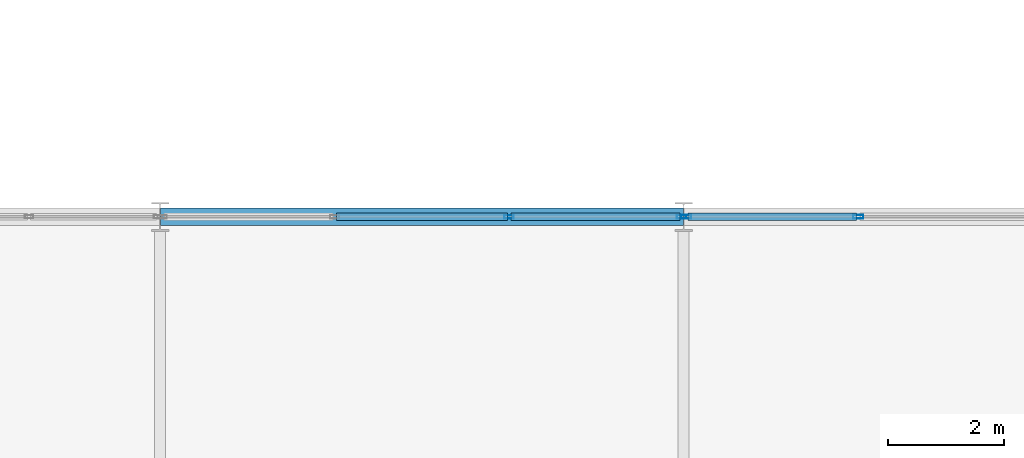
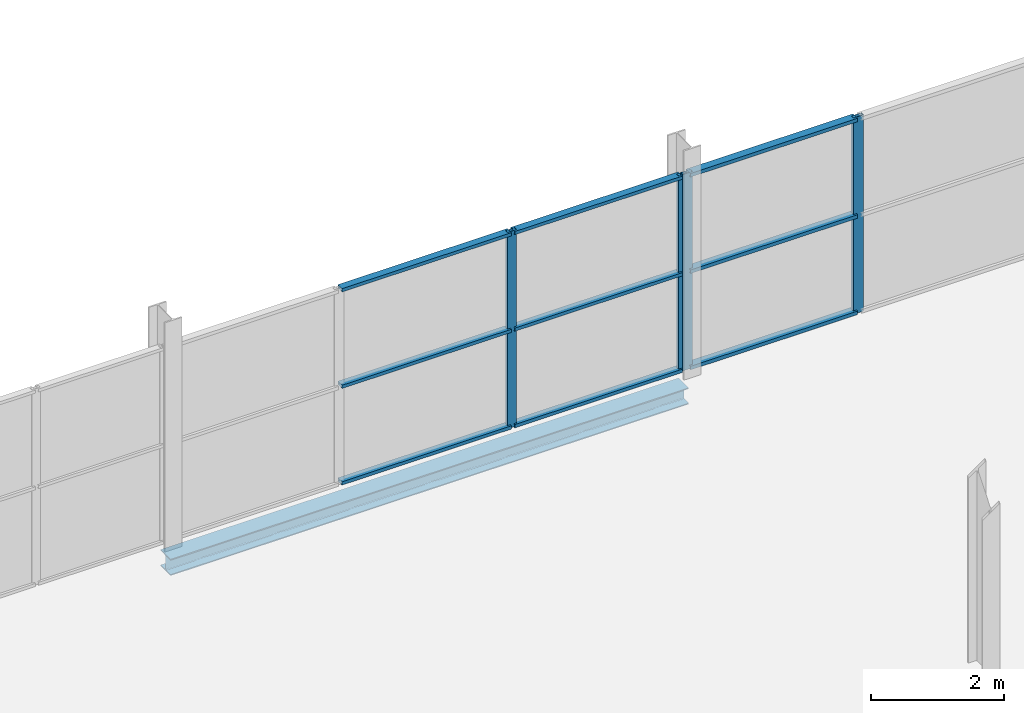
# One storey, part 63 of 135: 13 members, 1 beam, 2 elements without a shape of their own.
"""IFC4 building model written with IfcOpenShell, lengths in metres."""

import ifcopenshell
import ifcopenshell.guid

model = None  # the IFC model being written
_history = None  # IfcOwnerHistory: only IFC2X3 demands one
_inside = {}  # id of a spatial element -> (the spatial element, [elements in it])
_under = {}  # id of a project, library or spatial element -> (it, [spatial elements below it])
_declared = {}  # id of a project -> (the project, [libraries it declares])
_typed = {}  # id of a type object -> (the type object, [elements of that type])
_made_of = {}  # id of a material, layer set ... -> (it, [elements and type objects made of it])


def new_model(schema):
    """Start an empty IFC model of exactly this schema.

    Asked for "IFC4X3", IfcOpenShell would pick the latest addendum, in which some entities
    have other attributes; the version numbers below select the first issue.
    IFC2X3 requires an IfcOwnerHistory on every rooted entity: one is made here for all.
    """
    global model, _history
    if schema == "IFC4X3":
        model = ifcopenshell.file(schema_version=(4, 3, 0, 0))
    else:
        model = ifcopenshell.file(schema=schema)
    _inside.clear()
    _under.clear()
    _declared.clear()
    _typed.clear()
    _made_of.clear()
    _history = None
    if model.schema == "IFC2X3":
        org = make("IfcOrganization", Name="unknown")
        user = make(
            "IfcPersonAndOrganization",
            ThePerson=make("IfcPerson", FamilyName="unknown"),
            TheOrganization=org,
        )
        app = make(
            "IfcApplication",
            ApplicationDeveloper=org,
            Version="unknown",
            ApplicationFullName="unknown",
            ApplicationIdentifier="unknown",
        )
        _history = make(
            "IfcOwnerHistory",
            OwningUser=user,
            OwningApplication=app,
            ChangeAction="ADDED",
            CreationDate=0,
        )
    return model


def make(cls, **values):
    """One entity of the class cls with the attributes given. An attribute that is None is left unset."""
    return model.create_entity(
        cls, **{name: value for name, value in values.items() if value is not None}
    )


def rooted(cls, **values):
    """An entity with a GlobalId (a new one), such as an element, a storey or a relation."""
    return make(cls, GlobalId=ifcopenshell.guid.new(), OwnerHistory=_history, **values)


def si_unit(unit_type, name, prefix=None):
    """IfcSIUnit, for example si_unit("LENGTHUNIT", "METRE", prefix="MILLI")."""
    return make("IfcSIUnit", UnitType=unit_type, Prefix=prefix, Name=name)


def assignment(units):
    """IfcUnitAssignment: the units of a project."""
    return None if units is None else make("IfcUnitAssignment", Units=units)


def point(xyz):
    """IfcCartesianPoint."""
    return None if xyz is None else make("IfcCartesianPoint", Coordinates=xyz)


def direction(xyz):
    """IfcDirection."""
    return None if xyz is None else make("IfcDirection", DirectionRatios=xyz)


def frame(location, z_axis=None, x_axis=None):
    """IfcAxis2Placement3D, a coordinate frame: its origin and axes. An axis left out is left unset."""
    return make(
        "IfcAxis2Placement3D",
        Location=point(location),
        Axis=direction(z_axis),
        RefDirection=direction(x_axis),
    )


def frame_2d(location, x_axis=None):
    """IfcAxis2Placement2D, a coordinate frame in the plane: its origin and x axis."""
    return make(
        "IfcAxis2Placement2D", Location=point(location), RefDirection=direction(x_axis)
    )


def origin():
    """The frame at (0, 0, 0) with its axes left unset."""
    return frame((0.0, 0.0, 0.0))


def origin_2d():
    """The frame at (0, 0) in the plane with its x axis left unset."""
    return frame_2d((0.0, 0.0))


def place(relative_to, where):
    """IfcLocalPlacement: puts the frame where relative to a parent placement (None: the world)."""
    return make(
        "IfcLocalPlacement", PlacementRelTo=relative_to, RelativePlacement=where
    )


def context(
    kind, dimensions, precision=None, world=None, true_north=None, identifier=None
):
    """IfcGeometricRepresentationContext, for example the 3D "Model" context."""
    return make(
        "IfcGeometricRepresentationContext",
        ContextIdentifier=identifier,
        ContextType=kind,
        CoordinateSpaceDimension=dimensions,
        Precision=precision,
        WorldCoordinateSystem=world,
        TrueNorth=true_north,
    )


def subcontext(parent, identifier, kind, view, scale=None):
    """IfcGeometricRepresentationSubContext, for example "Body" below "Model"."""
    return make(
        "IfcGeometricRepresentationSubContext",
        ContextIdentifier=identifier,
        ContextType=kind,
        ParentContext=parent,
        TargetScale=scale,
        TargetView=view,
    )


def project(units=None, contexts=None):
    """IfcProject with its units and contexts."""
    return rooted(
        "IfcProject",
        Name="project",
        RepresentationContexts=contexts,
        UnitsInContext=assignment(units),
    )


def spatial(cls, under=None, at=None, **own):
    """A site, building, storey or space (cls), placed at a placement, below another one or the project."""
    s = rooted(cls, ObjectPlacement=at, **own)
    if under is not None:
        _under.setdefault(under.id(), (under, []))[1].append(s)
    return s


def profile(cls, at=None, kind="AREA", **sizes):
    """A parametric profile (cls). Its sizes go by their IFC names, for example OverallWidth=200.0."""
    return make(cls, ProfileType=kind, Position=at, **sizes)


def hollow_rectangle(**sizes):
    """IfcRectangleHollowProfileDef."""
    return profile("IfcRectangleHollowProfileDef", **sizes)


def i_section(**sizes):
    """IfcIShapeProfileDef."""
    return profile("IfcIShapeProfileDef", **sizes)


def extrude(swept, where, along, depth):
    """IfcExtrudedAreaSolid: the profile swept, set in the frame where, extruded along a direction by depth."""
    return make(
        "IfcExtrudedAreaSolid",
        SweptArea=swept,
        Position=where,
        ExtrudedDirection=direction(along),
        Depth=depth,
    )


def shape(context_of_items, identifier, shape_type, items):
    """IfcShapeRepresentation: the items that make up one representation, for example the "Body"."""
    return make(
        "IfcShapeRepresentation",
        ContextOfItems=context_of_items,
        RepresentationIdentifier=identifier,
        RepresentationType=shape_type,
        Items=items,
    )


def material(Name=None, Category=None):
    """IfcMaterial."""
    return make("IfcMaterial", Name=Name, Category=Category)


def layer(
    of_material, thickness, ventilated=None, Name=None, Category=None, Priority=None
):
    """IfcMaterialLayer: one layer of a wall or slab, of a material (None: an air gap)."""
    return make(
        "IfcMaterialLayer",
        Material=of_material,
        LayerThickness=thickness,
        IsVentilated=ventilated,
        Name=Name,
        Category=Category,
        Priority=Priority,
    )


def layer_set(layers, Name=None):
    """IfcMaterialLayerSet."""
    return make("IfcMaterialLayerSet", MaterialLayers=layers, LayerSetName=Name)


def material_profile(
    of_material, cross_section, Name=None, Category=None, Priority=None
):
    """IfcMaterialProfile: a cross section and its material."""
    return make(
        "IfcMaterialProfile",
        Name=Name,
        Material=of_material,
        Profile=cross_section,
        Priority=Priority,
        Category=Category,
    )


def profile_set(profiles, Name=None, composite=None):
    """IfcMaterialProfileSet."""
    return make(
        "IfcMaterialProfileSet",
        Name=Name,
        MaterialProfiles=profiles,
        CompositeProfile=composite,
    )


def made_of(thing, what):
    """Note that an element or type object is made of a material, layer set ...; save() writes the relation."""
    if what is not None:
        _made_of.setdefault(what.id(), (what, []))[1].append(thing)
    return thing


def type_object(cls, material=None, **own):
    """A type object (cls), such as IfcWallType, which elements share."""
    return made_of(rooted(cls, **own), material)


def element(
    cls,
    number,
    at=None,
    inside=None,
    cuts=None,
    type_object=None,
    material=None,
    context=None,
    identifier="Body",
    shape_type=None,
    held_by="IfcProductDefinitionShape",
    body=None,
    shapes=None,
    **own,
):
    """One element of the class cls, such as IfcWall. Its Tag is "e" and its number.

    at: its placement. inside: the storey or other place that contains it. cuts: it is an
    opening in that element (IfcRelVoidsElement). A single representation is given by context,
    identifier, shape_type and body (its items); several are given by shapes. held_by: the class
    of the entity that holds the representations. save() writes the other relations.
    """
    e = rooted(cls, Tag="e%d" % number, ObjectPlacement=at, **own)
    if body is not None:
        shapes = [shape(context, identifier, shape_type, body)]
    if shapes is not None:
        e.Representation = make(held_by, Representations=shapes)
    if inside is not None:
        _inside.setdefault(inside.id(), (inside, []))[1].append(e)
    if cuts is not None:
        rooted(
            "IfcRelVoidsElement", RelatingBuildingElement=cuts, RelatedOpeningElement=e
        )
    if type_object is not None:
        _typed.setdefault(type_object.id(), (type_object, []))[1].append(e)
    return made_of(e, material)


def aggregate(whole, parts):
    """IfcRelAggregates: a whole, such as a stair, and the parts it consists of."""
    return rooted("IfcRelAggregates", RelatingObject=whole, RelatedObjects=parts)


def save(model, path):
    """Write the relations noted so far, then the file.

    IfcRelAggregates (storeys below a building ...), IfcRelContainedInSpatialStructure (elements
    in a storey), IfcRelDefinesByType, IfcRelAssociatesMaterial and IfcRelDeclares: one each for
    every whole, place, type object, material and project.
    """
    for whole, parts in _under.values():
        aggregate(whole, parts)
    for where, things in _inside.values():
        rooted(
            "IfcRelContainedInSpatialStructure",
            RelatedElements=things,
            RelatingStructure=where,
        )
    for kind, things in _typed.values():
        rooted("IfcRelDefinesByType", RelatedObjects=things, RelatingType=kind)
    for what, things in _made_of.values():
        rooted("IfcRelAssociatesMaterial", RelatedObjects=things, RelatingMaterial=what)
    for by, libraries in _declared.values():
        rooted("IfcRelDeclares", RelatingContext=by, RelatedDefinitions=libraries)
    model.write(path)


model = new_model("IFC4")

# Units and contexts
model_context = context("Model", 3, precision=1e-05, world=origin(), true_north=direction((0.0, 1.0)))
body_context = subcontext(model_context, "Body", "Model", "MODEL_VIEW")
ifc_project = project(units=[si_unit("LENGTHUNIT", "METRE"), si_unit("AREAUNIT", "SQUARE_METRE"), si_unit("VOLUMEUNIT", "CUBIC_METRE"), si_unit("PLANEANGLEUNIT", "RADIAN"), si_unit("MASSUNIT", "GRAM", prefix="KILO")], contexts=[model_context])

# Site, building, storey
site_placement = place(None, origin())
site = spatial("IfcSite", under=ifc_project, at=site_placement, CompositionType="ELEMENT")
building_placement = place(site_placement, origin())
building = spatial("IfcBuilding", under=site, at=building_placement, Name="Deido Ridge Mobility Hub", CompositionType="ELEMENT")
storey_placement = place(building_placement, frame((0.0, 0.0, 4.199951171875)))
storey = spatial("IfcBuildingStorey", under=building, at=storey_placement, Name="L01", CompositionType="ELEMENT", Elevation=4.199951171875)

# Curtain wall, members
ifc_material_1 = material(Name="Anodised aluminium EN AW-6063 T6", Category="aluminium")
ifc_layer_1 = layer(ifc_material_1, 0.14404296875, Name="Anodised aluminium EN AW-6063 T6")
ifc_layer_set_1 = layer_set([ifc_layer_1], Name="Anodised aluminium EN AW-6063 T6")
curtain_wall_type_1 = type_object("IfcCurtainWallType", Name="CW-GS-2", PredefinedType="USERDEFINED", material=ifc_layer_set_1)
curtain_wall_1_placement = place(storey_placement, origin())
curtain_wall_1 = element("IfcCurtainWall", 1, at=curtain_wall_1_placement, inside=storey, type_object=curtain_wall_type_1, Name="Unitised curtain wall GS2", ObjectType="GLAZED SCREEN", PredefinedType="USERDEFINED")
ifc_material_profile_1 = material_profile(ifc_material_1, hollow_rectangle(XDim=0.06005859375, YDim=0.159912109375, WallThickness=0.00390625, at=origin_2d()), Name="RHS 60x160x4")
ifc_profile_set_1 = profile_set([ifc_material_profile_1], Name="Anodised aluminium EN AW-6063 T6")
member_type_1 = type_object("IfcMemberType", Name="MEM-MUL-60X160", PredefinedType="MULLION", material=ifc_profile_set_1)
member_1_placement = place(storey_placement, frame((14.99755859375, 81.0, 0.0), z_axis=(0.0, 0.0, 1.0), x_axis=(0.0, 1.0, 0.0)))
member_1 = element("IfcMember", 2, at=member_1_placement, type_object=member_type_1, Name="GS2 mullion 3", PredefinedType="MULLION", context=body_context, shape_type="SweptSolid", body=[
    extrude(hollow_rectangle(XDim=0.06005859375, YDim=0.159912109375, WallThickness=0.00390625, at=origin_2d()), origin(), (0.0, 0.0, 1.0), 3.60009765625),
])
member_2_placement = place(storey_placement, frame((17.962890625, 81.0, 0.0), z_axis=(0.0, 0.0, 1.0), x_axis=(0.0, 1.0, 0.0)))
member_2 = element("IfcMember", 3, at=member_2_placement, type_object=member_type_1, Name="GS2 mullion 4", PredefinedType="MULLION", context=body_context, shape_type="SweptSolid", body=[
    extrude(hollow_rectangle(XDim=0.06005859375, YDim=0.159912109375, WallThickness=0.00390625, at=origin_2d()), origin(), (0.0, 0.0, 1.0), 3.60009765625),
])

ifc_layer_2 = layer(ifc_material_1, 0.156005859375, Name="Anodised aluminium EN AW-6063 T6")
ifc_layer_set_2 = layer_set([ifc_layer_2], Name="Anodised aluminium EN AW-6063 T6")
curtain_wall_type_2 = type_object("IfcCurtainWallType", Name="CW-GS-3", PredefinedType="USERDEFINED", material=ifc_layer_set_2)
curtain_wall_2_placement = place(storey_placement, origin())
curtain_wall_2 = element("IfcCurtainWall", 4, at=curtain_wall_2_placement, inside=storey, type_object=curtain_wall_type_2, Name="Unitised curtain wall GS3", ObjectType="GLAZED SCREEN", PredefinedType="USERDEFINED")
ifc_material_profile_2 = material_profile(ifc_material_1, hollow_rectangle(XDim=0.06494140625, YDim=0.175048828125, WallThickness=0.00390625, at=origin_2d()), Name="RHS 65x175x4")
ifc_profile_set_2 = profile_set([ifc_material_profile_2], Name="Anodised aluminium EN AW-6063 T6")
member_type_2 = type_object("IfcMemberType", Name="MEM-MUL-65X175", PredefinedType="MULLION", material=ifc_profile_set_2)
member_3_placement = place(storey_placement, frame((18.039794921875, 81.0, 0.0), z_axis=(0.0, 0.0, 1.0), x_axis=(0.0, 1.0, 0.0)))
member_3 = element("IfcMember", 5, at=member_3_placement, type_object=member_type_2, Name="GS3 mullion 1", PredefinedType="MULLION", context=body_context, shape_type="SweptSolid", body=[
    extrude(hollow_rectangle(XDim=0.06494140625, YDim=0.175048828125, WallThickness=0.00390625, at=origin_2d()), origin(), (0.0, 0.0, 1.0), 3.60009765625),
])
member_4_placement = place(storey_placement, frame((21.00244140625, 81.0, 0.0), z_axis=(0.0, 0.0, 1.0), x_axis=(0.0, 1.0, 0.0)))
member_4 = element("IfcMember", 6, at=member_4_placement, type_object=member_type_2, Name="GS3 mullion 2", PredefinedType="MULLION", context=body_context, shape_type="SweptSolid", body=[
    extrude(hollow_rectangle(XDim=0.06494140625, YDim=0.175048828125, WallThickness=0.00390625, at=origin_2d()), origin(), (0.0, 0.0, 1.0), 3.60009765625),
])

# Member
ifc_material_profile_3 = material_profile(ifc_material_1, hollow_rectangle(XDim=0.125, YDim=0.06005859375, WallThickness=0.00390625, at=origin_2d()), Name="RHS 125x60x4")
ifc_profile_set_3 = profile_set([ifc_material_profile_3], Name="Anodised aluminium EN AW-6063 T6")
member_type_3 = type_object("IfcMemberType", Name="MEM-TRN-125X60", PredefinedType="USERDEFINED", material=ifc_profile_set_3)
member_5_placement = place(storey_placement, frame((12.032470703125, 81.0, 0.030029296875), z_axis=(1.0, 0.0, 0.0), x_axis=(0.0, 1.0, 0.0)))
member_5 = element("IfcMember", 7, at=member_5_placement, type_object=member_type_3, Name="GS2 transom 2.1", ObjectType="TRANSOM", PredefinedType="USERDEFINED", context=body_context, shape_type="SweptSolid", body=[
    extrude(hollow_rectangle(XDim=0.125, YDim=0.06005859375, WallThickness=0.00390625, at=origin_2d()), origin(), (0.0, 0.0, 1.0), 2.93505859375),
])

member_6_placement = place(storey_placement, frame((12.032470703125, 81.0, 1.800048828125), z_axis=(1.0, 0.0, 0.0), x_axis=(0.0, 1.0, 0.0)))
member_6 = element("IfcMember", 8, at=member_6_placement, type_object=member_type_3, Name="GS2 transom 2.2", ObjectType="TRANSOM", PredefinedType="USERDEFINED", context=body_context, shape_type="SweptSolid", body=[
    extrude(hollow_rectangle(XDim=0.125, YDim=0.06005859375, WallThickness=0.00390625, at=origin_2d()), origin(), (0.0, 0.0, 1.0), 2.93505859375),
])

member_7_placement = place(storey_placement, frame((12.032470703125, 81.0, 3.570068359375), z_axis=(1.0, 0.0, 0.0), x_axis=(0.0, 1.0, 0.0)))
member_7 = element("IfcMember", 9, at=member_7_placement, type_object=member_type_3, Name="GS2 transom 2.3", ObjectType="TRANSOM", PredefinedType="USERDEFINED", context=body_context, shape_type="SweptSolid", body=[
    extrude(hollow_rectangle(XDim=0.125, YDim=0.06005859375, WallThickness=0.00390625, at=origin_2d()), origin(), (0.0, 0.0, 1.0), 2.93505859375),
])

member_8_placement = place(storey_placement, frame((15.027587890625, 81.0, 0.030029296875), z_axis=(1.0, 0.0, 0.0), x_axis=(0.0, 1.0, 0.0)))
member_8 = element("IfcMember", 10, at=member_8_placement, type_object=member_type_3, Name="GS2 transom 3.1", ObjectType="TRANSOM", PredefinedType="USERDEFINED", context=body_context, shape_type="SweptSolid", body=[
    extrude(hollow_rectangle(XDim=0.125, YDim=0.06005859375, WallThickness=0.00390625, at=origin_2d()), origin(), (0.0, 0.0, 1.0), 2.9052734375),
])

member_9_placement = place(storey_placement, frame((15.027587890625, 81.0, 1.800048828125), z_axis=(1.0, 0.0, 0.0), x_axis=(0.0, 1.0, 0.0)))
member_9 = element("IfcMember", 11, at=member_9_placement, type_object=member_type_3, Name="GS2 transom 3.2", ObjectType="TRANSOM", PredefinedType="USERDEFINED", context=body_context, shape_type="SweptSolid", body=[
    extrude(hollow_rectangle(XDim=0.125, YDim=0.06005859375, WallThickness=0.00390625, at=origin_2d()), origin(), (0.0, 0.0, 1.0), 2.9052734375),
])

member_10_placement = place(storey_placement, frame((15.027587890625, 81.0, 3.570068359375), z_axis=(1.0, 0.0, 0.0), x_axis=(0.0, 1.0, 0.0)))
member_10 = element("IfcMember", 12, at=member_10_placement, type_object=member_type_3, Name="GS2 transom 3.3", ObjectType="TRANSOM", PredefinedType="USERDEFINED", context=body_context, shape_type="SweptSolid", body=[
    extrude(hollow_rectangle(XDim=0.125, YDim=0.06005859375, WallThickness=0.00390625, at=origin_2d()), origin(), (0.0, 0.0, 1.0), 2.9052734375),
])

aggregate(curtain_wall_1, [member_1, member_2, member_5, member_6, member_7, member_8, member_9, member_10])

ifc_material_profile_4 = material_profile(ifc_material_1, hollow_rectangle(XDim=0.135009765625, YDim=0.06494140625, WallThickness=0.00390625, at=origin_2d()), Name="RHS 135x65x4")
ifc_profile_set_4 = profile_set([ifc_material_profile_4], Name="Anodised aluminium EN AW-6063 T6")
member_type_4 = type_object("IfcMemberType", Name="MEM-TRN-135X65", PredefinedType="USERDEFINED", material=ifc_profile_set_4)
member_11_placement = place(storey_placement, frame((18.072265625, 81.0, 0.032470703125), z_axis=(1.0, 0.0, 0.0), x_axis=(0.0, 1.0, 0.0)))
member_11 = element("IfcMember", 13, at=member_11_placement, type_object=member_type_4, Name="GS3 transom 1.1", ObjectType="TRANSOM", PredefinedType="USERDEFINED", context=body_context, shape_type="SweptSolid", body=[
    extrude(hollow_rectangle(XDim=0.135009765625, YDim=0.06494140625, WallThickness=0.00390625, at=origin_2d()), origin(), (0.0, 0.0, 1.0), 2.897705078125),
])

member_12_placement = place(storey_placement, frame((18.072265625, 81.0, 1.800048828125), z_axis=(1.0, 0.0, 0.0), x_axis=(0.0, 1.0, 0.0)))
member_12 = element("IfcMember", 14, at=member_12_placement, type_object=member_type_4, Name="GS3 transom 1.2", ObjectType="TRANSOM", PredefinedType="USERDEFINED", context=body_context, shape_type="SweptSolid", body=[
    extrude(hollow_rectangle(XDim=0.135009765625, YDim=0.06494140625, WallThickness=0.00390625, at=origin_2d()), origin(), (0.0, 0.0, 1.0), 2.897705078125),
])

member_13_placement = place(storey_placement, frame((18.072265625, 81.0, 3.567626953125), z_axis=(1.0, 0.0, 0.0), x_axis=(0.0, 1.0, 0.0)))
member_13 = element("IfcMember", 15, at=member_13_placement, type_object=member_type_4, Name="GS3 transom 1.3", ObjectType="TRANSOM", PredefinedType="USERDEFINED", context=body_context, shape_type="SweptSolid", body=[
    extrude(hollow_rectangle(XDim=0.135009765625, YDim=0.06494140625, WallThickness=0.00390625, at=origin_2d()), origin(), (0.0, 0.0, 1.0), 2.897705078125),
])

aggregate(curtain_wall_2, [member_3, member_4, member_11, member_12, member_13])

# Beam
ifc_material_2 = material(Name="Steel S355J2 EN 10025-2", Category="steel")
ifc_material_profile_5 = material_profile(ifc_material_2, i_section(OverallWidth=0.300048828125, OverallDepth=0.300048828125, WebThickness=0.010986328125, FlangeThickness=0.01904296875, FilletRadius=0.027099609375, at=origin_2d()), Name="HEB 300")
ifc_profile_set_5 = profile_set([ifc_material_profile_5], Name="Steel S355J2 EN 10025-2")
beam_type = type_object("IfcBeamType", Name="SPD-HEB300", PredefinedType="SPANDREL", material=ifc_profile_set_5)
beam_placement = place(storey_placement, frame((9.00732421875, 81.0, -0.39990234375), z_axis=(1.0, 0.0, 0.0), x_axis=(0.0, 1.0, 0.0)))
element("IfcBeam", 16, at=beam_placement, inside=storey, type_object=beam_type, Name="Floor beam SP1", PredefinedType="SPANDREL", context=body_context, shape_type="SweptSolid", body=[
    extrude(i_section(OverallWidth=0.300048828125, OverallDepth=0.300048828125, WebThickness=0.010986328125, FlangeThickness=0.01904296875, FilletRadius=0.027099609375, at=origin_2d()), origin(), (0.0, 0.0, 1.0), 8.985595703125),
])

save(model, "model.ifc")
